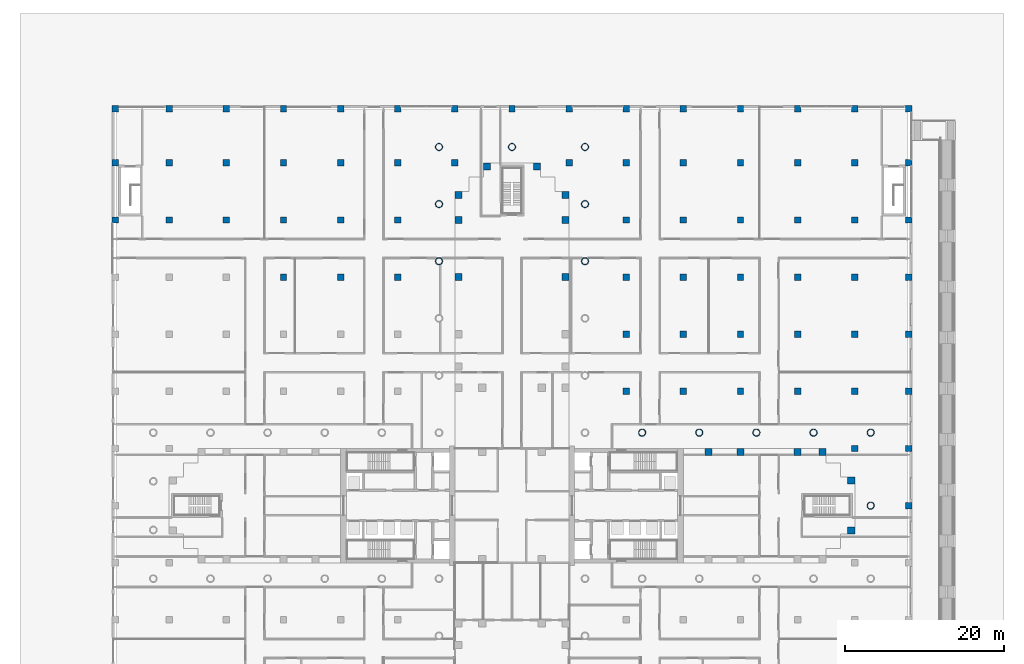
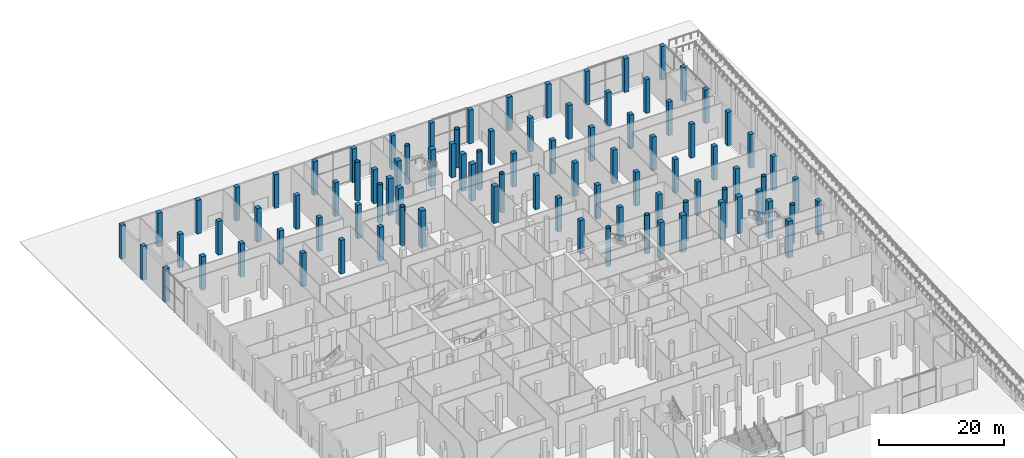
# One storey, part 3 of 44: 92 columns.
"""IFC4 building model written with IfcOpenShell, lengths in metres."""

from ifc_helpers import new_model, si_unit, direction, frame, origin, origin_2d, place, context, subcontext, project, spatial, rectangle, hollow_circle, extrude, material, material_profile, profile_set, type_object, element, save


model = new_model("IFC4")

# Units and contexts
model_context = context("Model", 3, precision=1e-05, world=origin(), true_north=direction((0.0, 1.0)))
body_context = subcontext(model_context, "Body", "Model", "MODEL_VIEW")
ifc_project = project(units=[si_unit("LENGTHUNIT", "METRE"), si_unit("AREAUNIT", "SQUARE_METRE"), si_unit("VOLUMEUNIT", "CUBIC_METRE"), si_unit("PLANEANGLEUNIT", "RADIAN"), si_unit("MASSUNIT", "GRAM", prefix="KILO")], contexts=[model_context])

# Site, building, storey
site_placement = place(None, origin())
site = spatial("IfcSite", under=ifc_project, at=site_placement, CompositionType="ELEMENT")
building_placement = place(site_placement, origin())
building = spatial("IfcBuilding", under=site, at=building_placement, Name="Fustian Cross Tower", CompositionType="ELEMENT")
storey_placement = place(building_placement, origin())
storey = spatial("IfcBuildingStorey", under=building, at=storey_placement, Name="L00", CompositionType="ELEMENT", Elevation=0.0)

# Columns
ifc_material_1 = material(Name="Concrete C50/60", Category="concrete")
ifc_material_profile_1 = material_profile(ifc_material_1, rectangle(XDim=0.800048828125, YDim=0.800048828125, at=origin_2d()), Name="RC 800x800")
ifc_profile_set_1 = profile_set([ifc_material_profile_1], Name="Concrete C50/60")
column_type_1 = type_object("IfcColumnType", Name="COLUMN RC 800x800 C50/60", PredefinedType="COLUMN", material=ifc_profile_set_1)
for number, where, z_axis, x_axis, name in (
    (1, (-50.0, 36.0, 0.0), (0.0, 0.0, 1.0), (1.0, 0.0, 0.0), "COLUMN 077"),
    (2, (-50.0, 43.199951171875, 0.0), (0.0, 0.0, 1.0), (1.0, 0.0, 0.0), "COLUMN 078"),
    (3, (-50.0, 50.0, 0.0), (0.0, 0.0, 1.0), (1.0, 0.0, 0.0), "COLUMN 079"),
    (4, (-43.199951171875, 36.0, 0.0), (0.0, 0.0, 1.0), (1.0, 0.0, 0.0), "COLUMN 091"),
    (5, (-43.199951171875, 43.199951171875, 0.0), (0.0, 0.0, 1.0), (1.0, 0.0, 0.0), "COLUMN 092"),
    (6, (-43.199951171875, 50.0, 0.0), (0.0, 0.0, 1.0), (1.0, 0.0, 0.0), "COLUMN 093"),
    (7, (-36.0, 36.0, 0.0), (0.0, 0.0, 1.0), (1.0, 0.0, 0.0), "COLUMN 103"),
    (8, (-36.0, 43.199951171875, 0.0), (0.0, 0.0, 1.0), (1.0, 0.0, 0.0), "COLUMN 104"),
    (9, (-36.0, 50.0, 0.0), (0.0, 0.0, 1.0), (1.0, 0.0, 0.0), "COLUMN 105"),
    (10, (-28.800048828125, 28.800048828125, 0.0), (0.0, 0.0, 1.0), (1.0, 0.0, 0.0), "COLUMN 114"),
    (11, (-28.800048828125, 36.0, 0.0), (0.0, 0.0, 1.0), (1.0, 0.0, 0.0), "COLUMN 115"),
    (12, (-28.800048828125, 43.199951171875, 0.0), (0.0, 0.0, 1.0), (1.0, 0.0, 0.0), "COLUMN 116"),
    (13, (-28.800048828125, 50.0, 0.0), (0.0, 0.0, 1.0), (1.0, 0.0, 0.0), "COLUMN 117"),
    (14, (-21.60009765625, 28.800048828125, 0.0), (0.0, 0.0, 1.0), (1.0, 0.0, 0.0), "COLUMN 126"),
    (15, (-21.60009765625, 36.0, 0.0), (0.0, 0.0, 1.0), (1.0, 0.0, 0.0), "COLUMN 127"),
    (16, (-21.60009765625, 43.199951171875, 0.0), (0.0, 0.0, 1.0), (1.0, 0.0, 0.0), "COLUMN 128"),
    (17, (-21.60009765625, 50.0, 0.0), (0.0, 0.0, 1.0), (1.0, 0.0, 0.0), "COLUMN 129"),
    (18, (-14.39990234375, 28.800048828125, 0.0), (0.0, 0.0, 1.0), (1.0, 0.0, 0.0), "COLUMN 138"),
    (19, (-14.39990234375, 36.0, 0.0), (0.0, 0.0, 1.0), (1.0, 0.0, 0.0), "COLUMN 139"),
    (20, (-14.39990234375, 43.199951171875, 0.0), (0.0, 0.0, 1.0), (1.0, 0.0, 0.0), "COLUMN 140"),
    (21, (-14.39990234375, 50.0, 0.0), (0.0, 0.0, 1.0), (1.0, 0.0, 0.0), "COLUMN 141"),
    (22, (-7.199951171875, 43.199951171875, 0.0), (0.0, 0.0, 1.0), (1.0, 0.0, 0.0), "COLUMN 144"),
    (23, (-7.199951171875, 50.0, 0.0), (0.0, 0.0, 1.0), (1.0, 0.0, 0.0), "COLUMN 145"),
    (24, (0.0, 50.0, 0.0), (0.0, 0.0, 1.0), (1.0, 0.0, 0.0), "COLUMN 147"),
    (25, (7.199951171875, 43.199951171875, 0.0), (0.0, 0.0, 1.0), (1.0, 0.0, 0.0), "COLUMN 150"),
    (26, (7.199951171875, 50.0, 0.0), (0.0, 0.0, 1.0), (1.0, 0.0, 0.0), "COLUMN 151"),
    (27, (14.39990234375, 14.39990234375, 0.0), (0.0, 0.0, 1.0), (1.0, 0.0, 0.0), "COLUMN 158"),
    (28, (14.39990234375, 21.60009765625, 0.0), (0.0, 0.0, 1.0), (1.0, 0.0, 0.0), "COLUMN 159"),
    (29, (14.39990234375, 28.800048828125, 0.0), (0.0, 0.0, 1.0), (1.0, 0.0, 0.0), "COLUMN 160"),
    (30, (14.39990234375, 36.0, 0.0), (0.0, 0.0, 1.0), (1.0, 0.0, 0.0), "COLUMN 161"),
    (31, (14.39990234375, 43.199951171875, 0.0), (0.0, 0.0, 1.0), (1.0, 0.0, 0.0), "COLUMN 162"),
    (32, (14.39990234375, 50.0, 0.0), (0.0, 0.0, 1.0), (1.0, 0.0, 0.0), "COLUMN 163"),
    (33, (21.60009765625, 14.39990234375, 0.0), (0.0, 0.0, 1.0), (1.0, 0.0, 0.0), "COLUMN 170"),
    (34, (21.60009765625, 21.60009765625, 0.0), (0.0, 0.0, 1.0), (1.0, 0.0, 0.0), "COLUMN 171"),
    (35, (21.60009765625, 28.800048828125, 0.0), (0.0, 0.0, 1.0), (1.0, 0.0, 0.0), "COLUMN 172"),
    (36, (21.60009765625, 36.0, 0.0), (0.0, 0.0, 1.0), (1.0, 0.0, 0.0), "COLUMN 173"),
    (37, (21.60009765625, 43.199951171875, 0.0), (0.0, 0.0, 1.0), (1.0, 0.0, 0.0), "COLUMN 174"),
    (38, (21.60009765625, 50.0, 0.0), (0.0, 0.0, 1.0), (1.0, 0.0, 0.0), "COLUMN 175"),
    (39, (28.800048828125, 14.39990234375, 0.0), (0.0, 0.0, 1.0), (1.0, 0.0, 0.0), "COLUMN 182"),
    (40, (28.800048828125, 21.60009765625, 0.0), (0.0, 0.0, 1.0), (1.0, 0.0, 0.0), "COLUMN 183"),
    (41, (28.800048828125, 28.800048828125, 0.0), (0.0, 0.0, 1.0), (1.0, 0.0, 0.0), "COLUMN 184"),
    (42, (28.800048828125, 36.0, 0.0), (0.0, 0.0, 1.0), (1.0, 0.0, 0.0), "COLUMN 185"),
    (43, (28.800048828125, 43.199951171875, 0.0), (0.0, 0.0, 1.0), (1.0, 0.0, 0.0), "COLUMN 186"),
    (44, (28.800048828125, 50.0, 0.0), (0.0, 0.0, 1.0), (1.0, 0.0, 0.0), "COLUMN 187"),
    (45, (36.0, 14.39990234375, 0.0), (0.0, 0.0, 1.0), (1.0, 0.0, 0.0), "COLUMN 194"),
    (46, (36.0, 21.60009765625, 0.0), (0.0, 0.0, 1.0), (1.0, 0.0, 0.0), "COLUMN 195"),
    (47, (36.0, 28.800048828125, 0.0), (0.0, 0.0, 1.0), (1.0, 0.0, 0.0), "COLUMN 196"),
    (48, (36.0, 36.0, 0.0), (0.0, 0.0, 1.0), (1.0, 0.0, 0.0), "COLUMN 197"),
    (49, (36.0, 43.199951171875, 0.0), (0.0, 0.0, 1.0), (1.0, 0.0, 0.0), "COLUMN 198"),
    (50, (36.0, 50.0, 0.0), (0.0, 0.0, 1.0), (1.0, 0.0, 0.0), "COLUMN 199"),
    (51, (43.199951171875, 7.199951171875, 0.0), (0.0, 0.0, 1.0), (1.0, 0.0, 0.0), "COLUMN 207"),
    (52, (43.199951171875, 14.39990234375, 0.0), (0.0, 0.0, 1.0), (1.0, 0.0, 0.0), "COLUMN 208"),
    (53, (43.199951171875, 21.60009765625, 0.0), (0.0, 0.0, 1.0), (1.0, 0.0, 0.0), "COLUMN 209"),
    (54, (43.199951171875, 28.800048828125, 0.0), (0.0, 0.0, 1.0), (1.0, 0.0, 0.0), "COLUMN 210"),
    (55, (43.199951171875, 36.0, 0.0), (0.0, 0.0, 1.0), (1.0, 0.0, 0.0), "COLUMN 211"),
    (56, (43.199951171875, 43.199951171875, 0.0), (0.0, 0.0, 1.0), (1.0, 0.0, 0.0), "COLUMN 212"),
    (57, (43.199951171875, 50.0, 0.0), (0.0, 0.0, 1.0), (1.0, 0.0, 0.0), "COLUMN 213"),
    (58, (50.0, 0.0, 0.0), (0.0, 0.0, 1.0), (1.0, 0.0, 0.0), "COLUMN 221"),
    (59, (50.0, 7.199951171875, 0.0), (0.0, 0.0, 1.0), (1.0, 0.0, 0.0), "COLUMN 222"),
    (60, (50.0, 14.39990234375, 0.0), (0.0, 0.0, 1.0), (1.0, 0.0, 0.0), "COLUMN 223"),
    (61, (50.0, 21.60009765625, 0.0), (0.0, 0.0, 1.0), (1.0, 0.0, 0.0), "COLUMN 224"),
    (62, (50.0, 28.800048828125, 0.0), (0.0, 0.0, 1.0), (1.0, 0.0, 0.0), "COLUMN 225"),
    (63, (50.0, 36.0, 0.0), (0.0, 0.0, 1.0), (1.0, 0.0, 0.0), "COLUMN 226"),
    (64, (50.0, 43.199951171875, 0.0), (0.0, 0.0, 1.0), (1.0, 0.0, 0.0), "COLUMN 227"),
    (65, (50.0, 50.0, 0.0), (0.0, 0.0, 1.0), (1.0, 0.0, 0.0), "COLUMN 228"),
):
    element("IfcColumn", number, at=place(storey_placement, frame(where, z_axis=z_axis, x_axis=x_axis)), inside=storey, type_object=column_type_1, Name=name, PredefinedType="COLUMN", context=body_context, shape_type="SweptSolid", body=[
        extrude(rectangle(XDim=0.800048828125, YDim=0.800048828125, at=origin_2d()), origin(), (0.0, 0.0, 1.0), 6.60009765625),
    ])
ifc_material_2 = material(Name="Concrete C70/85", Category="concrete")
ifc_material_profile_2 = material_profile(ifc_material_2, rectangle(XDim=0.89990234375, YDim=0.89990234375, at=origin_2d()), Name="RC 900x900")
ifc_profile_set_2 = profile_set([ifc_material_profile_2], Name="Concrete C70/85")
column_type_2 = type_object("IfcColumnType", Name="COLUMN RC 900x900 C70/85", PredefinedType="COLUMN", material=ifc_profile_set_2)
for number, where, z_axis, x_axis, name in (
    (66, (-6.75, 28.800048828125, 0.0), (0.0, 0.0, 1.0), (1.0, 0.0, 0.0), "COLUMN 022"),
    (67, (-6.75, 36.0, 0.0), (0.0, 0.0, 1.0), (1.0, 0.0, 0.0), "COLUMN 023"),
    (68, (-6.75, 39.14990234375, 0.0), (0.0, 0.0, 1.0), (1.0, 0.0, 0.0), "COLUMN 024"),
    (69, (-3.14990234375, 42.75, 0.0), (0.0, 0.0, 1.0), (1.0, 0.0, 0.0), "COLUMN 032"),
    (70, (3.14990234375, 42.75, 0.0), (0.0, 0.0, 1.0), (1.0, 0.0, 0.0), "COLUMN 036"),
    (71, (6.75, 28.800048828125, 0.0), (0.0, 0.0, 1.0), (1.0, 0.0, 0.0), "COLUMN 050"),
    (72, (6.75, 36.0, 0.0), (0.0, 0.0, 1.0), (1.0, 0.0, 0.0), "COLUMN 051"),
    (73, (6.75, 39.14990234375, 0.0), (0.0, 0.0, 1.0), (1.0, 0.0, 0.0), "COLUMN 052"),
    (74, (24.75, 6.75, 0.0), (0.0, 0.0, 1.0), (1.0, 0.0, 0.0), "COLUMN 054"),
    (75, (28.800048828125, 6.75, 0.0), (0.0, 0.0, 1.0), (1.0, 0.0, 0.0), "COLUMN 058"),
    (76, (36.0, 6.75, 0.0), (0.0, 0.0, 1.0), (1.0, 0.0, 0.0), "COLUMN 060"),
    (77, (39.14990234375, 6.75, 0.0), (0.0, 0.0, 1.0), (1.0, 0.0, 0.0), "COLUMN 062"),
    (78, (42.75, -3.14990234375, 0.0), (0.0, 0.0, 1.0), (1.0, 0.0, 0.0), "COLUMN 063"),
    (79, (42.75, 3.14990234375, 0.0), (0.0, 0.0, 1.0), (1.0, 0.0, 0.0), "COLUMN 064"),
):
    element("IfcColumn", number, at=place(storey_placement, frame(where, z_axis=z_axis, x_axis=x_axis)), inside=storey, type_object=column_type_2, Name=name, PredefinedType="COLUMN", context=body_context, shape_type="SweptSolid", body=[
        extrude(rectangle(XDim=0.89990234375, YDim=0.89990234375, at=origin_2d()), origin(), (0.0, 0.0, 1.0), 7.199951171875),
    ])
ifc_material_3 = material(Name="Steel S355", Category="steel")
ifc_material_profile_3 = material_profile(ifc_material_3, hollow_circle(Radius=0.457275390625, WallThickness=0.050048828125, at=origin_2d()), Name="CHS 914x50")
ifc_profile_set_3 = profile_set([ifc_material_profile_3], Name="Steel S355")
column_type_3 = type_object("IfcColumnType", Name="DIAGRID FOOT COLUMN CHS 914x50", PredefinedType="COLUMN", material=ifc_profile_set_3)
for number, where, z_axis, x_axis, name in (
    (80, (45.199951171875, 0.0, 0.0), (0.0, 0.0, 1.0), (1.0, 0.0, 0.0), "Diagrid foot L01-01"),
    (81, (45.199951171875, 9.199951171875, 0.0), (0.0, 0.0, 1.0), (1.0, 0.0, 0.0), "Diagrid foot L01-02"),
    (82, (38.0, 9.199951171875, 0.0), (0.0, 0.0, 1.0), (1.0, 0.0, 0.0), "Diagrid foot L01-03"),
    (83, (30.800048828125, 9.199951171875, 0.0), (0.0, 0.0, 1.0), (1.0, 0.0, 0.0), "Diagrid foot L01-04"),
    (84, (23.60009765625, 9.199951171875, 0.0), (0.0, 0.0, 1.0), (1.0, 0.0, 0.0), "Diagrid foot L01-05"),
    (85, (16.39990234375, 9.199951171875, 0.0), (0.0, 0.0, 1.0), (1.0, 0.0, 0.0), "Diagrid foot L01-06"),
    (86, (9.199951171875, 30.800048828125, 0.0), (0.0, 0.0, 1.0), (1.0, 0.0, 0.0), "Diagrid foot L01-10"),
    (87, (9.199951171875, 38.0, 0.0), (0.0, 0.0, 1.0), (1.0, 0.0, 0.0), "Diagrid foot L01-11"),
    (88, (9.199951171875, 45.199951171875, 0.0), (0.0, 0.0, 1.0), (1.0, 0.0, 0.0), "Diagrid foot L01-12"),
    (89, (0.0, 45.199951171875, 0.0), (0.0, 0.0, 1.0), (1.0, 0.0, 0.0), "Diagrid foot L01-13"),
    (90, (-9.199951171875, 45.199951171875, 0.0), (0.0, 0.0, 1.0), (1.0, 0.0, 0.0), "Diagrid foot L01-14"),
    (91, (-9.199951171875, 38.0, 0.0), (0.0, 0.0, 1.0), (1.0, 0.0, 0.0), "Diagrid foot L01-15"),
    (92, (-9.199951171875, 30.800048828125, 0.0), (0.0, 0.0, 1.0), (1.0, 0.0, 0.0), "Diagrid foot L01-16"),
):
    element("IfcColumn", number, at=place(storey_placement, frame(where, z_axis=z_axis, x_axis=x_axis)), inside=storey, type_object=column_type_3, Name=name, PredefinedType="COLUMN", context=body_context, shape_type="SweptSolid", body=[
        extrude(hollow_circle(Radius=0.457275390625, WallThickness=0.050048828125, at=origin_2d()), origin(), (0.0, 0.0, 1.0), 7.5),
    ])

save(model, "model.ifc")
